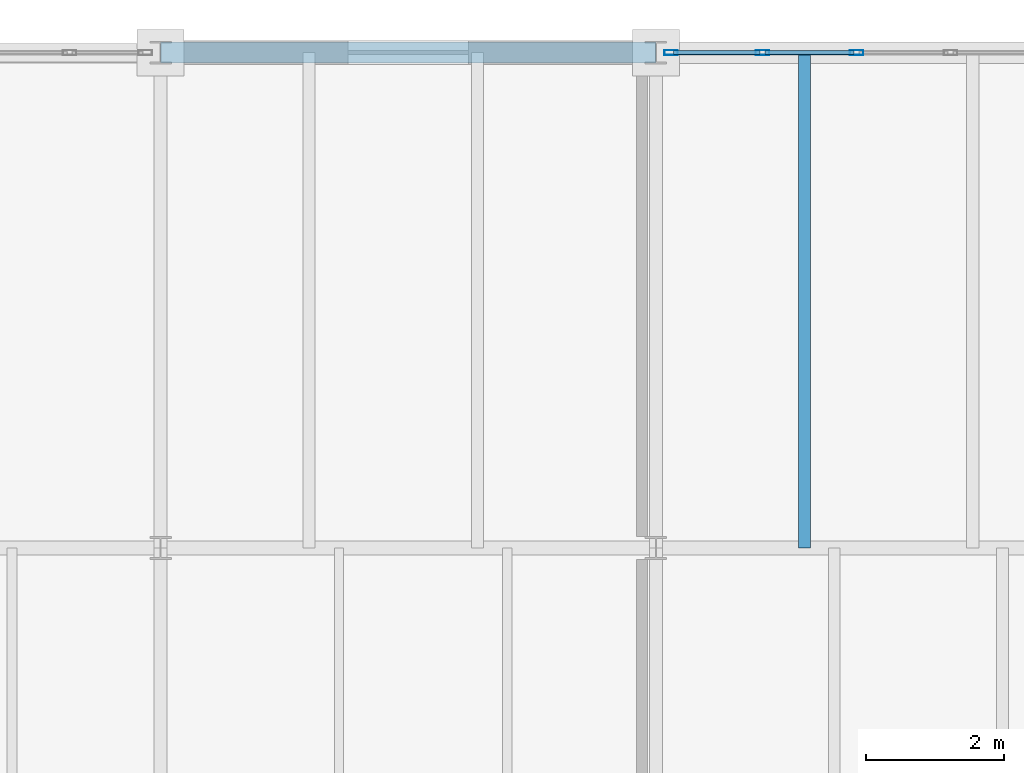
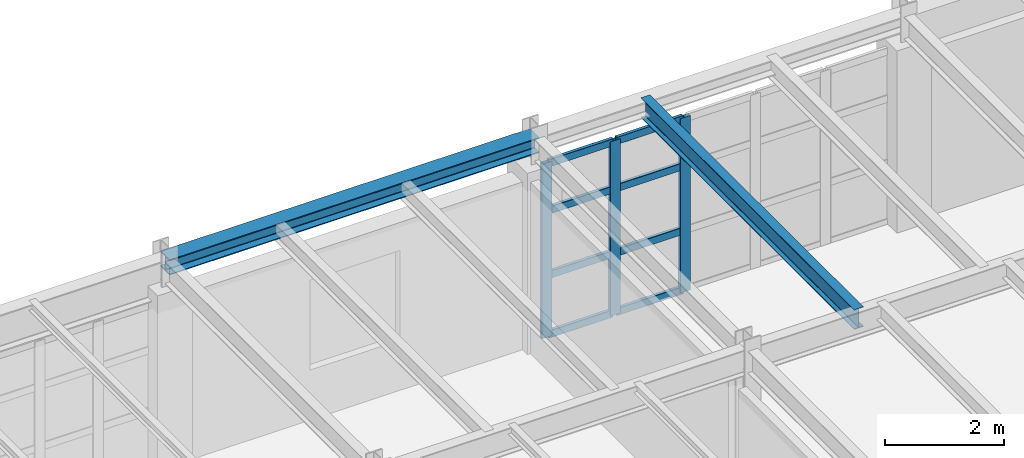
# One storey, part 61 of 137: 11 members, 2 beams, 1 element without a shape of its own.
"""IFC4 building model written with IfcOpenShell, lengths in metres."""

import ifcopenshell
import ifcopenshell.guid

model = None  # the IFC model being written
_history = None  # IfcOwnerHistory: only IFC2X3 demands one
_inside = {}  # id of a spatial element -> (the spatial element, [elements in it])
_under = {}  # id of a project, library or spatial element -> (it, [spatial elements below it])
_declared = {}  # id of a project -> (the project, [libraries it declares])
_typed = {}  # id of a type object -> (the type object, [elements of that type])
_made_of = {}  # id of a material, layer set ... -> (it, [elements and type objects made of it])


def new_model(schema):
    """Start an empty IFC model of exactly this schema.

    Asked for "IFC4X3", IfcOpenShell would pick the latest addendum, in which some entities
    have other attributes; the version numbers below select the first issue.
    IFC2X3 requires an IfcOwnerHistory on every rooted entity: one is made here for all.
    """
    global model, _history
    if schema == "IFC4X3":
        model = ifcopenshell.file(schema_version=(4, 3, 0, 0))
    else:
        model = ifcopenshell.file(schema=schema)
    _inside.clear()
    _under.clear()
    _declared.clear()
    _typed.clear()
    _made_of.clear()
    _history = None
    if model.schema == "IFC2X3":
        org = make("IfcOrganization", Name="unknown")
        user = make(
            "IfcPersonAndOrganization",
            ThePerson=make("IfcPerson", FamilyName="unknown"),
            TheOrganization=org,
        )
        app = make(
            "IfcApplication",
            ApplicationDeveloper=org,
            Version="unknown",
            ApplicationFullName="unknown",
            ApplicationIdentifier="unknown",
        )
        _history = make(
            "IfcOwnerHistory",
            OwningUser=user,
            OwningApplication=app,
            ChangeAction="ADDED",
            CreationDate=0,
        )
    return model


def make(cls, **values):
    """One entity of the class cls with the attributes given. An attribute that is None is left unset."""
    return model.create_entity(
        cls, **{name: value for name, value in values.items() if value is not None}
    )


def rooted(cls, **values):
    """An entity with a GlobalId (a new one), such as an element, a storey or a relation."""
    return make(cls, GlobalId=ifcopenshell.guid.new(), OwnerHistory=_history, **values)


def si_unit(unit_type, name, prefix=None):
    """IfcSIUnit, for example si_unit("LENGTHUNIT", "METRE", prefix="MILLI")."""
    return make("IfcSIUnit", UnitType=unit_type, Prefix=prefix, Name=name)


def assignment(units):
    """IfcUnitAssignment: the units of a project."""
    return None if units is None else make("IfcUnitAssignment", Units=units)


def point(xyz):
    """IfcCartesianPoint."""
    return None if xyz is None else make("IfcCartesianPoint", Coordinates=xyz)


def direction(xyz):
    """IfcDirection."""
    return None if xyz is None else make("IfcDirection", DirectionRatios=xyz)


def frame(location, z_axis=None, x_axis=None):
    """IfcAxis2Placement3D, a coordinate frame: its origin and axes. An axis left out is left unset."""
    return make(
        "IfcAxis2Placement3D",
        Location=point(location),
        Axis=direction(z_axis),
        RefDirection=direction(x_axis),
    )


def frame_2d(location, x_axis=None):
    """IfcAxis2Placement2D, a coordinate frame in the plane: its origin and x axis."""
    return make(
        "IfcAxis2Placement2D", Location=point(location), RefDirection=direction(x_axis)
    )


def origin():
    """The frame at (0, 0, 0) with its axes left unset."""
    return frame((0.0, 0.0, 0.0))


def origin_2d():
    """The frame at (0, 0) in the plane with its x axis left unset."""
    return frame_2d((0.0, 0.0))


def place(relative_to, where):
    """IfcLocalPlacement: puts the frame where relative to a parent placement (None: the world)."""
    return make(
        "IfcLocalPlacement", PlacementRelTo=relative_to, RelativePlacement=where
    )


def context(
    kind, dimensions, precision=None, world=None, true_north=None, identifier=None
):
    """IfcGeometricRepresentationContext, for example the 3D "Model" context."""
    return make(
        "IfcGeometricRepresentationContext",
        ContextIdentifier=identifier,
        ContextType=kind,
        CoordinateSpaceDimension=dimensions,
        Precision=precision,
        WorldCoordinateSystem=world,
        TrueNorth=true_north,
    )


def subcontext(parent, identifier, kind, view, scale=None):
    """IfcGeometricRepresentationSubContext, for example "Body" below "Model"."""
    return make(
        "IfcGeometricRepresentationSubContext",
        ContextIdentifier=identifier,
        ContextType=kind,
        ParentContext=parent,
        TargetScale=scale,
        TargetView=view,
    )


def project(units=None, contexts=None):
    """IfcProject with its units and contexts."""
    return rooted(
        "IfcProject",
        Name="project",
        RepresentationContexts=contexts,
        UnitsInContext=assignment(units),
    )


def spatial(cls, under=None, at=None, **own):
    """A site, building, storey or space (cls), placed at a placement, below another one or the project."""
    s = rooted(cls, ObjectPlacement=at, **own)
    if under is not None:
        _under.setdefault(under.id(), (under, []))[1].append(s)
    return s


def profile(cls, at=None, kind="AREA", **sizes):
    """A parametric profile (cls). Its sizes go by their IFC names, for example OverallWidth=200.0."""
    return make(cls, ProfileType=kind, Position=at, **sizes)


def hollow_rectangle(**sizes):
    """IfcRectangleHollowProfileDef."""
    return profile("IfcRectangleHollowProfileDef", **sizes)


def i_section(**sizes):
    """IfcIShapeProfileDef."""
    return profile("IfcIShapeProfileDef", **sizes)


def extrude(swept, where, along, depth):
    """IfcExtrudedAreaSolid: the profile swept, set in the frame where, extruded along a direction by depth."""
    return make(
        "IfcExtrudedAreaSolid",
        SweptArea=swept,
        Position=where,
        ExtrudedDirection=direction(along),
        Depth=depth,
    )


def shape(context_of_items, identifier, shape_type, items):
    """IfcShapeRepresentation: the items that make up one representation, for example the "Body"."""
    return make(
        "IfcShapeRepresentation",
        ContextOfItems=context_of_items,
        RepresentationIdentifier=identifier,
        RepresentationType=shape_type,
        Items=items,
    )


def material(Name=None, Category=None):
    """IfcMaterial."""
    return make("IfcMaterial", Name=Name, Category=Category)


def layer(
    of_material, thickness, ventilated=None, Name=None, Category=None, Priority=None
):
    """IfcMaterialLayer: one layer of a wall or slab, of a material (None: an air gap)."""
    return make(
        "IfcMaterialLayer",
        Material=of_material,
        LayerThickness=thickness,
        IsVentilated=ventilated,
        Name=Name,
        Category=Category,
        Priority=Priority,
    )


def layer_set(layers, Name=None):
    """IfcMaterialLayerSet."""
    return make("IfcMaterialLayerSet", MaterialLayers=layers, LayerSetName=Name)


def material_profile(
    of_material, cross_section, Name=None, Category=None, Priority=None
):
    """IfcMaterialProfile: a cross section and its material."""
    return make(
        "IfcMaterialProfile",
        Name=Name,
        Material=of_material,
        Profile=cross_section,
        Priority=Priority,
        Category=Category,
    )


def profile_set(profiles, Name=None, composite=None):
    """IfcMaterialProfileSet."""
    return make(
        "IfcMaterialProfileSet",
        Name=Name,
        MaterialProfiles=profiles,
        CompositeProfile=composite,
    )


def made_of(thing, what):
    """Note that an element or type object is made of a material, layer set ...; save() writes the relation."""
    if what is not None:
        _made_of.setdefault(what.id(), (what, []))[1].append(thing)
    return thing


def type_object(cls, material=None, **own):
    """A type object (cls), such as IfcWallType, which elements share."""
    return made_of(rooted(cls, **own), material)


def element(
    cls,
    number,
    at=None,
    inside=None,
    cuts=None,
    type_object=None,
    material=None,
    context=None,
    identifier="Body",
    shape_type=None,
    held_by="IfcProductDefinitionShape",
    body=None,
    shapes=None,
    **own,
):
    """One element of the class cls, such as IfcWall. Its Tag is "e" and its number.

    at: its placement. inside: the storey or other place that contains it. cuts: it is an
    opening in that element (IfcRelVoidsElement). A single representation is given by context,
    identifier, shape_type and body (its items); several are given by shapes. held_by: the class
    of the entity that holds the representations. save() writes the other relations.
    """
    e = rooted(cls, Tag="e%d" % number, ObjectPlacement=at, **own)
    if body is not None:
        shapes = [shape(context, identifier, shape_type, body)]
    if shapes is not None:
        e.Representation = make(held_by, Representations=shapes)
    if inside is not None:
        _inside.setdefault(inside.id(), (inside, []))[1].append(e)
    if cuts is not None:
        rooted(
            "IfcRelVoidsElement", RelatingBuildingElement=cuts, RelatedOpeningElement=e
        )
    if type_object is not None:
        _typed.setdefault(type_object.id(), (type_object, []))[1].append(e)
    return made_of(e, material)


def aggregate(whole, parts):
    """IfcRelAggregates: a whole, such as a stair, and the parts it consists of."""
    return rooted("IfcRelAggregates", RelatingObject=whole, RelatedObjects=parts)


def save(model, path):
    """Write the relations noted so far, then the file.

    IfcRelAggregates (storeys below a building ...), IfcRelContainedInSpatialStructure (elements
    in a storey), IfcRelDefinesByType, IfcRelAssociatesMaterial and IfcRelDeclares: one each for
    every whole, place, type object, material and project.
    """
    for whole, parts in _under.values():
        aggregate(whole, parts)
    for where, things in _inside.values():
        rooted(
            "IfcRelContainedInSpatialStructure",
            RelatedElements=things,
            RelatingStructure=where,
        )
    for kind, things in _typed.values():
        rooted("IfcRelDefinesByType", RelatedObjects=things, RelatingType=kind)
    for what, things in _made_of.values():
        rooted("IfcRelAssociatesMaterial", RelatedObjects=things, RelatingMaterial=what)
    for by, libraries in _declared.values():
        rooted("IfcRelDeclares", RelatingContext=by, RelatedDefinitions=libraries)
    model.write(path)


model = new_model("IFC4")

# Units and contexts
model_context = context("Model", 3, precision=1e-05, world=origin(), true_north=direction((0.0, 1.0)))
body_context = subcontext(model_context, "Body", "Model", "MODEL_VIEW")
ifc_project = project(units=[si_unit("LENGTHUNIT", "METRE"), si_unit("AREAUNIT", "SQUARE_METRE"), si_unit("VOLUMEUNIT", "CUBIC_METRE"), si_unit("PLANEANGLEUNIT", "RADIAN"), si_unit("MASSUNIT", "GRAM", prefix="KILO")], contexts=[model_context])

# Site, building, storey
site_placement = place(None, origin())
site = spatial("IfcSite", under=ifc_project, at=site_placement, CompositionType="ELEMENT")
building_placement = place(site_placement, origin())
building = spatial("IfcBuilding", under=site, at=building_placement, Name="Kemerveld Promenade Tramway Depot", CompositionType="ELEMENT")
storey_placement = place(building_placement, frame((0.0, 0.0, 5.39990234375)))
storey = spatial("IfcBuildingStorey", under=building, at=storey_placement, Name="L01", CompositionType="ELEMENT", Elevation=5.39990234375)

# Beams
ifc_material_1 = material(Name="Steel S355", Category="steel")
ifc_material_profile_1 = material_profile(ifc_material_1, i_section(OverallWidth=0.307373046875, OverallDepth=0.314453125, WebThickness=0.011962890625, FlangeThickness=0.018798828125, FilletRadius=0.01513671875, at=origin_2d()), Name="305x305x118 UC")
ifc_profile_set_1 = profile_set([ifc_material_profile_1], Name="Steel S355")
beam_type_1 = type_object("IfcBeamType", Name="BM-G12", PredefinedType="BEAM", material=ifc_profile_set_1)
beam_1_placement = place(storey_placement, frame((21.60009765625, 79.199951171875, 4.102783203125), z_axis=(1.0, 0.0, 0.0), x_axis=(0.0, 1.0, 0.0)))
element("IfcBeam", 1, at=beam_1_placement, inside=storey, type_object=beam_type_1, Name="BMX-L01-04-05-M", PredefinedType="BEAM", context=body_context, shape_type="SweptSolid", body=[
    extrude(i_section(OverallWidth=0.307373046875, OverallDepth=0.314453125, WebThickness=0.011962890625, FlangeThickness=0.018798828125, FilletRadius=0.01513671875, at=origin_2d()), origin(), (0.0, 0.0, 1.0), 7.199951171875),
])
ifc_material_profile_2 = material_profile(ifc_material_1, i_section(OverallWidth=0.1787109375, OverallDepth=0.409423828125, WebThickness=0.0087890625, FlangeThickness=0.014404296875, FilletRadius=0.01025390625, at=origin_2d()), Name="406x178x67 UB")
ifc_profile_set_2 = profile_set([ifc_material_profile_2], Name="Steel S355")
beam_type_2 = type_object("IfcBeamType", Name="BM-J05", PredefinedType="JOIST", material=ifc_profile_set_2)
beam_2_placement = place(storey_placement, frame((30.9599609375, 72.0, 4.055419921875), z_axis=(0.0, 1.0, 0.0), x_axis=(-1.0, 0.0, 0.0)))
element("IfcBeam", 2, at=beam_2_placement, inside=storey, type_object=beam_type_2, Name="JST-L01-05-L-1", PredefinedType="JOIST", context=body_context, shape_type="SweptSolid", body=[
    extrude(i_section(OverallWidth=0.1787109375, OverallDepth=0.409423828125, WebThickness=0.0087890625, FlangeThickness=0.014404296875, FilletRadius=0.01025390625, at=origin_2d()), origin(), (0.0, 0.0, 1.0), 7.199951171875),
])

# Curtain wall, members
ifc_material_2 = material(Name="Bronze anodised aluminium and solar glass", Category="aluminium")
ifc_layer = layer(ifc_material_2, 0.199951171875)
ifc_layer_set = layer_set([ifc_layer], Name="CW-SYS-08")
curtain_wall_type = type_object("IfcCurtainWallType", Name="CW-SYS-08", PredefinedType="USERDEFINED", material=ifc_layer_set)
curtain_wall_placement = place(storey_placement, origin())
curtain_wall = element("IfcCurtainWall", 3, at=curtain_wall_placement, inside=storey, type_object=curtain_wall_type, Name="CW-L01-V5N-05", ObjectType="GLAZED_CURTAIN_WALL", PredefinedType="USERDEFINED")
ifc_material_3 = material(Name="Bronze anodised aluminium", Category="aluminium")
ifc_material_profile_3 = material_profile(ifc_material_3, hollow_rectangle(XDim=0.074951171875, YDim=0.199951171875, WallThickness=0.0048828125, InnerFilletRadius=0.001953125, OuterFilletRadius=0.0048828125, at=origin_2d()), Name="CW-MUL-200x75")
ifc_profile_set_3 = profile_set([ifc_material_profile_3], Name="Bronze anodised aluminium")
member_type_1 = type_object("IfcMemberType", Name="CW-MUL-B", PredefinedType="MULLION", material=ifc_profile_set_3)
member_1_placement = place(storey_placement, frame((29.02099609375, 79.199951171875, 0.0), z_axis=(0.0, 0.0, 1.0), x_axis=(0.0, 1.0, 0.0)))
member_1 = element("IfcMember", 4, at=member_1_placement, type_object=member_type_1, Name="CW08 mullion 1", PredefinedType="MULLION", context=body_context, shape_type="SweptSolid", body=[
    extrude(hollow_rectangle(XDim=0.074951171875, YDim=0.199951171875, WallThickness=0.0048828125, InnerFilletRadius=0.001953125, OuterFilletRadius=0.0048828125, at=origin_2d()), origin(), (0.0, 0.0, 1.0), 3.590087890625),
])
member_2_placement = place(storey_placement, frame((30.35009765625, 79.199951171875, 0.0), z_axis=(0.0, 0.0, 1.0), x_axis=(0.0, 1.0, 0.0)))
member_2 = element("IfcMember", 5, at=member_2_placement, type_object=member_type_1, Name="CW08 mullion 2", PredefinedType="MULLION", context=body_context, shape_type="SweptSolid", body=[
    extrude(hollow_rectangle(XDim=0.074951171875, YDim=0.199951171875, WallThickness=0.0048828125, InnerFilletRadius=0.001953125, OuterFilletRadius=0.0048828125, at=origin_2d()), origin(), (0.0, 0.0, 1.0), 3.590087890625),
])
member_3_placement = place(storey_placement, frame((31.716796875, 79.199951171875, 0.0), z_axis=(0.0, 0.0, 1.0), x_axis=(0.0, 1.0, 0.0)))
member_3 = element("IfcMember", 6, at=member_3_placement, type_object=member_type_1, Name="CW08 mullion 3", PredefinedType="MULLION", context=body_context, shape_type="SweptSolid", body=[
    extrude(hollow_rectangle(XDim=0.074951171875, YDim=0.199951171875, WallThickness=0.0048828125, InnerFilletRadius=0.001953125, OuterFilletRadius=0.0048828125, at=origin_2d()), origin(), (0.0, 0.0, 1.0), 3.590087890625),
])
ifc_material_profile_4 = material_profile(ifc_material_3, hollow_rectangle(XDim=0.06494140625, YDim=0.14990234375, WallThickness=0.00439453125, InnerFilletRadius=0.001953125, OuterFilletRadius=0.00439453125, at=origin_2d()), Name="CW-TRN-150x65")
ifc_profile_set_4 = profile_set([ifc_material_profile_4], Name="Bronze anodised aluminium")
member_type_2 = type_object("IfcMemberType", Name="CW-TRN-B", PredefinedType="USERDEFINED", material=ifc_profile_set_4)
member_4_placement = place(storey_placement, frame((29.05859375, 79.199951171875, 0.03271484375), z_axis=(1.0, 0.0, 0.0), x_axis=(0.0, 1.0, 0.0)))
member_4 = element("IfcMember", 7, at=member_4_placement, type_object=member_type_2, Name="CW08 transom 1.1", ObjectType="TRANSOM", PredefinedType="USERDEFINED", context=body_context, shape_type="SweptSolid", body=[
    extrude(hollow_rectangle(XDim=0.06494140625, YDim=0.14990234375, WallThickness=0.00439453125, InnerFilletRadius=0.001953125, OuterFilletRadius=0.00439453125, at=origin_2d()), origin(), (0.0, 0.0, 1.0), 1.254150390625),
])
member_5_placement = place(storey_placement, frame((29.05859375, 79.199951171875, 1.257080078125), z_axis=(1.0, 0.0, 0.0), x_axis=(0.0, 1.0, 0.0)))
member_5 = element("IfcMember", 8, at=member_5_placement, type_object=member_type_2, Name="CW08 transom 1.2", ObjectType="TRANSOM", PredefinedType="USERDEFINED", context=body_context, shape_type="SweptSolid", body=[
    extrude(hollow_rectangle(XDim=0.06494140625, YDim=0.14990234375, WallThickness=0.00439453125, InnerFilletRadius=0.001953125, OuterFilletRadius=0.00439453125, at=origin_2d()), origin(), (0.0, 0.0, 1.0), 1.254150390625),
])
member_6_placement = place(storey_placement, frame((29.05859375, 79.199951171875, 2.585205078125), z_axis=(1.0, 0.0, 0.0), x_axis=(0.0, 1.0, 0.0)))
member_6 = element("IfcMember", 9, at=member_6_placement, type_object=member_type_2, Name="CW08 transom 1.3", ObjectType="TRANSOM", PredefinedType="USERDEFINED", context=body_context, shape_type="SweptSolid", body=[
    extrude(hollow_rectangle(XDim=0.06494140625, YDim=0.14990234375, WallThickness=0.00439453125, InnerFilletRadius=0.001953125, OuterFilletRadius=0.00439453125, at=origin_2d()), origin(), (0.0, 0.0, 1.0), 1.254150390625),
])
member_7_placement = place(storey_placement, frame((29.05859375, 79.199951171875, 3.5576171875), z_axis=(1.0, 0.0, 0.0), x_axis=(0.0, 1.0, 0.0)))
member_7 = element("IfcMember", 10, at=member_7_placement, type_object=member_type_2, Name="CW08 transom 1.4", ObjectType="TRANSOM", PredefinedType="USERDEFINED", context=body_context, shape_type="SweptSolid", body=[
    extrude(hollow_rectangle(XDim=0.06494140625, YDim=0.14990234375, WallThickness=0.00439453125, InnerFilletRadius=0.001953125, OuterFilletRadius=0.00439453125, at=origin_2d()), origin(), (0.0, 0.0, 1.0), 1.254150390625),
])
member_8_placement = place(storey_placement, frame((30.3876953125, 79.199951171875, 0.03271484375), z_axis=(1.0, 0.0, 0.0), x_axis=(0.0, 1.0, 0.0)))
member_8 = element("IfcMember", 11, at=member_8_placement, type_object=member_type_2, Name="CW08 transom 2.1", ObjectType="TRANSOM", PredefinedType="USERDEFINED", context=body_context, shape_type="SweptSolid", body=[
    extrude(hollow_rectangle(XDim=0.06494140625, YDim=0.14990234375, WallThickness=0.00439453125, InnerFilletRadius=0.001953125, OuterFilletRadius=0.00439453125, at=origin_2d()), origin(), (0.0, 0.0, 1.0), 1.29150390625),
])
member_9_placement = place(storey_placement, frame((30.3876953125, 79.199951171875, 1.257080078125), z_axis=(1.0, 0.0, 0.0), x_axis=(0.0, 1.0, 0.0)))
member_9 = element("IfcMember", 12, at=member_9_placement, type_object=member_type_2, Name="CW08 transom 2.2", ObjectType="TRANSOM", PredefinedType="USERDEFINED", context=body_context, shape_type="SweptSolid", body=[
    extrude(hollow_rectangle(XDim=0.06494140625, YDim=0.14990234375, WallThickness=0.00439453125, InnerFilletRadius=0.001953125, OuterFilletRadius=0.00439453125, at=origin_2d()), origin(), (0.0, 0.0, 1.0), 1.29150390625),
])
member_10_placement = place(storey_placement, frame((30.3876953125, 79.199951171875, 2.585205078125), z_axis=(1.0, 0.0, 0.0), x_axis=(0.0, 1.0, 0.0)))
member_10 = element("IfcMember", 13, at=member_10_placement, type_object=member_type_2, Name="CW08 transom 2.3", ObjectType="TRANSOM", PredefinedType="USERDEFINED", context=body_context, shape_type="SweptSolid", body=[
    extrude(hollow_rectangle(XDim=0.06494140625, YDim=0.14990234375, WallThickness=0.00439453125, InnerFilletRadius=0.001953125, OuterFilletRadius=0.00439453125, at=origin_2d()), origin(), (0.0, 0.0, 1.0), 1.29150390625),
])
member_11_placement = place(storey_placement, frame((30.3876953125, 79.199951171875, 3.5576171875), z_axis=(1.0, 0.0, 0.0), x_axis=(0.0, 1.0, 0.0)))
member_11 = element("IfcMember", 14, at=member_11_placement, type_object=member_type_2, Name="CW08 transom 2.4", ObjectType="TRANSOM", PredefinedType="USERDEFINED", context=body_context, shape_type="SweptSolid", body=[
    extrude(hollow_rectangle(XDim=0.06494140625, YDim=0.14990234375, WallThickness=0.00439453125, InnerFilletRadius=0.001953125, OuterFilletRadius=0.00439453125, at=origin_2d()), origin(), (0.0, 0.0, 1.0), 1.29150390625),
])
aggregate(curtain_wall, [member_1, member_2, member_3, member_4, member_5, member_6, member_7, member_8, member_9, member_10, member_11])

save(model, "model.ifc")
